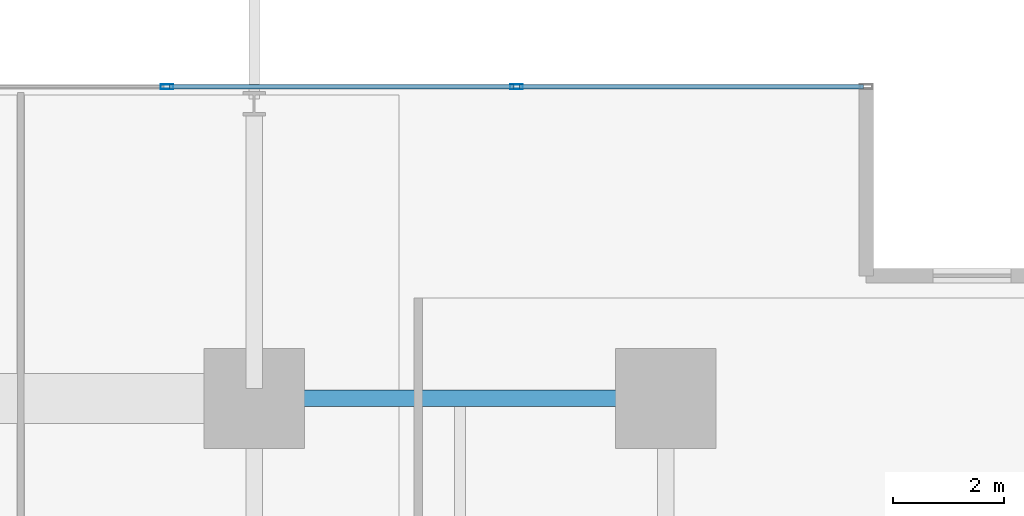
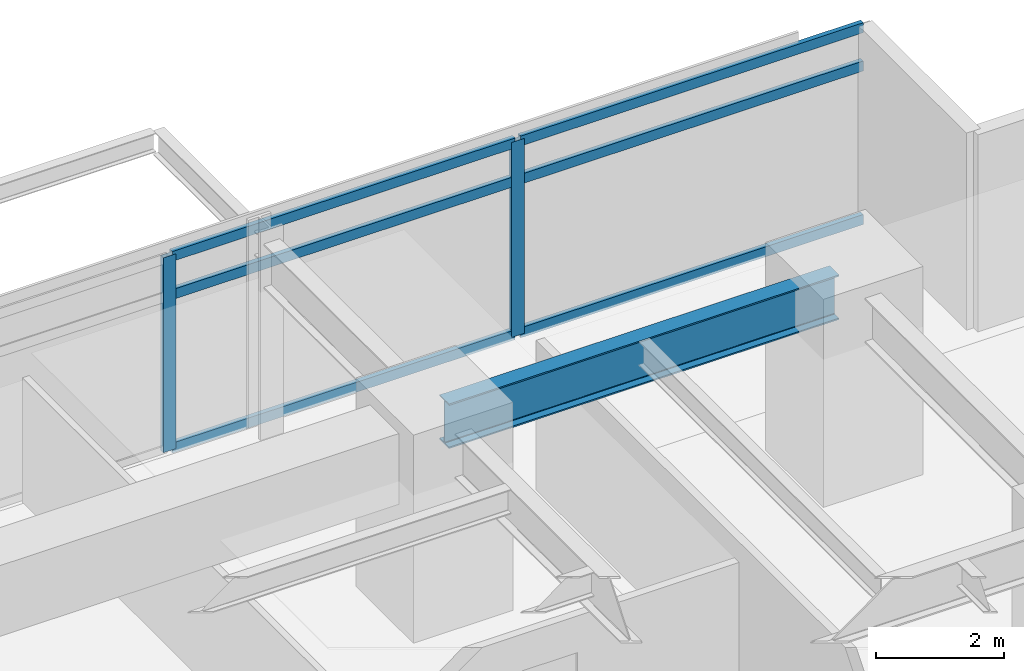
# One storey, part 11 of 22: 8 members, 1 beam, 1 element without a shape of its own.
"""IFC4 building model written with IfcOpenShell, lengths in metres."""

from ifc_helpers import new_model, si_unit, direction, frame, origin, origin_2d, place, context, subcontext, project, spatial, hollow_rectangle, i_section, extrude, material, material_profile, profile_set, type_object, element, aggregate, save


model = new_model("IFC4")

# Units and contexts
model_context = context("Model", 3, precision=1e-05, world=origin(), true_north=direction((0.0, 1.0)))
body_context = subcontext(model_context, "Body", "Model", "MODEL_VIEW")
ifc_project = project(units=[si_unit("LENGTHUNIT", "METRE"), si_unit("AREAUNIT", "SQUARE_METRE"), si_unit("VOLUMEUNIT", "CUBIC_METRE"), si_unit("PLANEANGLEUNIT", "RADIAN"), si_unit("MASSUNIT", "GRAM", prefix="KILO")], contexts=[model_context])

# Site, building, storey
site_placement = place(None, origin())
site = spatial("IfcSite", under=ifc_project, at=site_placement, CompositionType="ELEMENT")
building_placement = place(site_placement, origin())
building = spatial("IfcBuilding", under=site, at=building_placement, Name="Kovane Verandah Tower", CompositionType="ELEMENT")
storey_placement = place(building_placement, frame((0.0, 0.0, 59.60009765625)))
storey = spatial("IfcBuildingStorey", under=building, at=storey_placement, Name="L13", CompositionType="ELEMENT", Elevation=59.60009765625)

# Beam
ifc_material_1 = material(Name="Steel S355", Category="steel")
ifc_material_profile_1 = material_profile(ifc_material_1, i_section(OverallWidth=0.293701171875, OverallDepth=0.850830078125, WebThickness=0.01611328125, FlangeThickness=0.02685546875, FilletRadius=0.017822265625, at=origin_2d()), Name="UB838x292x226")
ifc_profile_set_1 = profile_set([ifc_material_profile_1], Name="Steel S355")
beam_type = type_object("IfcBeamType", Name="BM-UB838x226", PredefinedType="BEAM", material=ifc_profile_set_1)
beam_placement = place(storey_placement, frame((51.179931640625, 44.199951171875, 3.33447265625), z_axis=(1.0, 0.0, 0.0), x_axis=(0.0, 1.0, 0.0)))
element("IfcBeam", 1, at=beam_placement, inside=storey, type_object=beam_type, Name="L13 Primary Tower Girder G-RN3", PredefinedType="BEAM", context=body_context, shape_type="SweptSolid", body=[
    extrude(i_section(OverallWidth=0.293701171875, OverallDepth=0.850830078125, WebThickness=0.01611328125, FlangeThickness=0.02685546875, FilletRadius=0.017822265625, at=origin_2d()), origin(), (0.0, 0.0, 1.0), 7.0400390625),
])

# Curtain wall, members
ifc_material_2 = material(Name="Champagne Anodised Aluminium Frame with Low-E Clear Laminated Glass", Category="aluminium")
curtain_wall_type = type_object("IfcCurtainWallType", Name="CW-SYS-02-LOW", PredefinedType="NOTDEFINED", material=ifc_material_2)
curtain_wall_placement = place(storey_placement, origin())
curtain_wall = element("IfcCurtainWall", 2, at=curtain_wall_placement, inside=storey, type_object=curtain_wall_type, Name="L13 N Unitised Curtain Wall", PredefinedType="NOTDEFINED")
ifc_material_3 = material(Name="Champagne Anodised Aluminium 6063-T6", Category="aluminium")
ifc_material_profile_2 = material_profile(ifc_material_3, hollow_rectangle(XDim=0.0849609375, YDim=0.22998046875, WallThickness=0.00390625, at=origin_2d()), Name="AL85x230x4")
ifc_profile_set_2 = profile_set([ifc_material_profile_2], Name="Champagne Anodised Aluminium 6063-T6")
member_type_1 = type_object("IfcMemberType", Name="CW-MUL-85x230", PredefinedType="MULLION", material=ifc_profile_set_2)
member_1_placement = place(storey_placement, frame((55.718017578125, 49.8037109375, 0.02001953125), z_axis=(0.0, 0.0, 1.0), x_axis=(0.0, 1.0, 0.0)))
member_1 = element("IfcMember", 3, at=member_1_placement, type_object=member_type_1, Name="L13 N Unitised Curtain Wall Mullion 2", PredefinedType="MULLION", context=body_context, shape_type="SweptSolid", body=[
    extrude(hollow_rectangle(XDim=0.0849609375, YDim=0.22998046875, WallThickness=0.00390625, at=origin_2d()), origin(), (0.0, 0.0, 1.0), 3.719970703125),
])
member_2_placement = place(storey_placement, frame((49.430908203125, 49.8037109375, 0.02001953125), z_axis=(0.0, 0.0, 1.0), x_axis=(0.0, 1.0, 0.0)))
member_2 = element("IfcMember", 4, at=member_2_placement, type_object=member_type_1, Name="L13 N Unitised Curtain Wall Mullion 3", PredefinedType="MULLION", context=body_context, shape_type="SweptSolid", body=[
    extrude(hollow_rectangle(XDim=0.0849609375, YDim=0.22998046875, WallThickness=0.00390625, at=origin_2d()), origin(), (0.0, 0.0, 1.0), 3.719970703125),
])
ifc_material_profile_3 = material_profile(ifc_material_3, hollow_rectangle(XDim=0.0849609375, YDim=0.18994140625, WallThickness=0.00390625, at=origin_2d()), Name="AL85x190x4")
ifc_profile_set_3 = profile_set([ifc_material_profile_3], Name="Champagne Anodised Aluminium 6063-T6")
member_type_2 = type_object("IfcMemberType", Name="CW-TRN-85x190", PredefinedType="USERDEFINED", material=ifc_profile_set_3)
member_3_placement = place(storey_placement, frame((61.955078125, 49.8037109375, 0.0498046875), z_axis=(-1.0, 0.0, 0.0), x_axis=(0.0, -1.0, 0.0)))
member_3 = element("IfcMember", 5, at=member_3_placement, type_object=member_type_2, Name="L13 N Unitised Curtain Wall Transom TB Bay 1", ObjectType="TRANSOM", PredefinedType="USERDEFINED", context=body_context, shape_type="SweptSolid", body=[
    extrude(hollow_rectangle(XDim=0.0849609375, YDim=0.18994140625, WallThickness=0.00390625, at=origin_2d()), origin(), (0.0, 0.0, 1.0), 6.18701171875),
])
member_4_placement = place(storey_placement, frame((61.955078125, 49.8037109375, 2.97998046875), z_axis=(-1.0, 0.0, 0.0), x_axis=(0.0, -1.0, 0.0)))
member_4 = element("IfcMember", 6, at=member_4_placement, type_object=member_type_2, Name="L13 N Unitised Curtain Wall Transom TM Bay 1", ObjectType="TRANSOM", PredefinedType="USERDEFINED", context=body_context, shape_type="SweptSolid", body=[
    extrude(hollow_rectangle(XDim=0.0849609375, YDim=0.18994140625, WallThickness=0.00390625, at=origin_2d()), origin(), (0.0, 0.0, 1.0), 6.18701171875),
])
member_5_placement = place(storey_placement, frame((61.955078125, 49.8037109375, 3.7099609375), z_axis=(-1.0, 0.0, 0.0), x_axis=(0.0, -1.0, 0.0)))
member_5 = element("IfcMember", 7, at=member_5_placement, type_object=member_type_2, Name="L13 N Unitised Curtain Wall Transom TT Bay 1", ObjectType="TRANSOM", PredefinedType="USERDEFINED", context=body_context, shape_type="SweptSolid", body=[
    extrude(hollow_rectangle(XDim=0.0849609375, YDim=0.18994140625, WallThickness=0.00390625, at=origin_2d()), origin(), (0.0, 0.0, 1.0), 6.18701171875),
])
member_6_placement = place(storey_placement, frame((55.66796875, 49.8037109375, 0.0498046875), z_axis=(-1.0, 0.0, 0.0), x_axis=(0.0, -1.0, 0.0)))
member_6 = element("IfcMember", 8, at=member_6_placement, type_object=member_type_2, Name="L13 N Unitised Curtain Wall Transom TB Bay 2", ObjectType="TRANSOM", PredefinedType="USERDEFINED", context=body_context, shape_type="SweptSolid", body=[
    extrude(hollow_rectangle(XDim=0.0849609375, YDim=0.18994140625, WallThickness=0.00390625, at=origin_2d()), origin(), (0.0, 0.0, 1.0), 6.187255859375),
])
member_7_placement = place(storey_placement, frame((55.66796875, 49.8037109375, 2.97998046875), z_axis=(-1.0, 0.0, 0.0), x_axis=(0.0, -1.0, 0.0)))
member_7 = element("IfcMember", 9, at=member_7_placement, type_object=member_type_2, Name="L13 N Unitised Curtain Wall Transom TM Bay 2", ObjectType="TRANSOM", PredefinedType="USERDEFINED", context=body_context, shape_type="SweptSolid", body=[
    extrude(hollow_rectangle(XDim=0.0849609375, YDim=0.18994140625, WallThickness=0.00390625, at=origin_2d()), origin(), (0.0, 0.0, 1.0), 6.187255859375),
])
member_8_placement = place(storey_placement, frame((55.66796875, 49.8037109375, 3.7099609375), z_axis=(-1.0, 0.0, 0.0), x_axis=(0.0, -1.0, 0.0)))
member_8 = element("IfcMember", 10, at=member_8_placement, type_object=member_type_2, Name="L13 N Unitised Curtain Wall Transom TT Bay 2", ObjectType="TRANSOM", PredefinedType="USERDEFINED", context=body_context, shape_type="SweptSolid", body=[
    extrude(hollow_rectangle(XDim=0.0849609375, YDim=0.18994140625, WallThickness=0.00390625, at=origin_2d()), origin(), (0.0, 0.0, 1.0), 6.187255859375),
])
aggregate(curtain_wall, [member_1, member_2, member_3, member_4, member_5, member_6, member_7, member_8])

save(model, "model.ifc")
